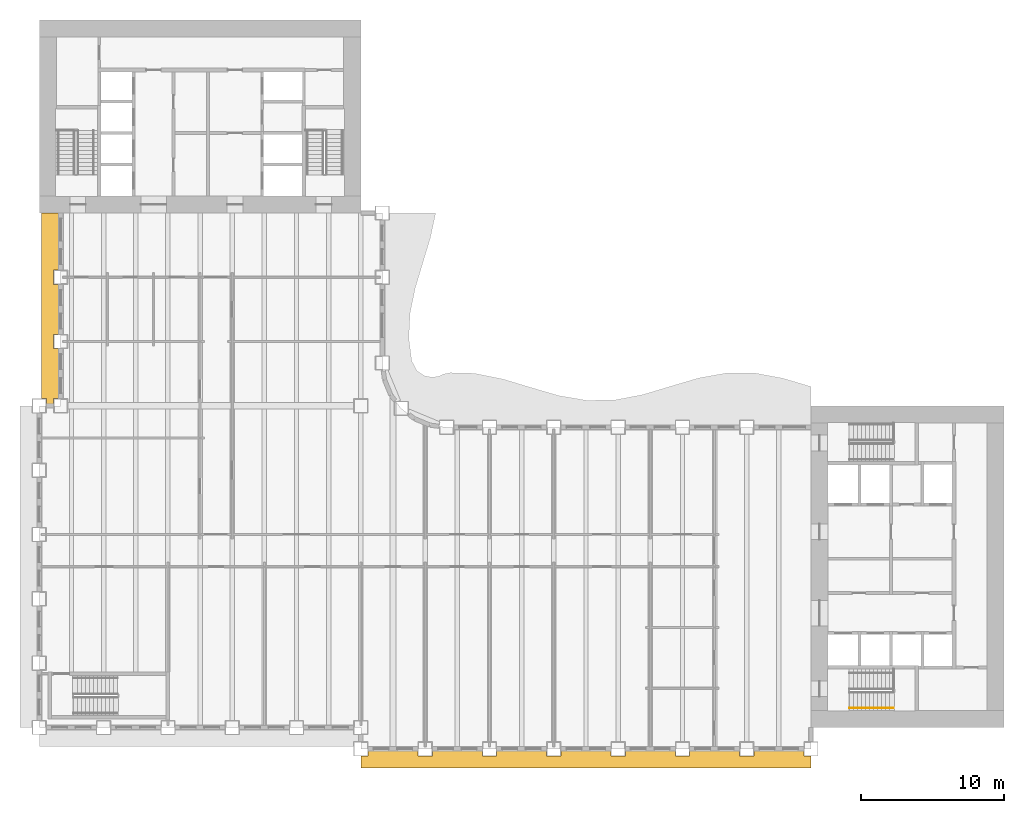
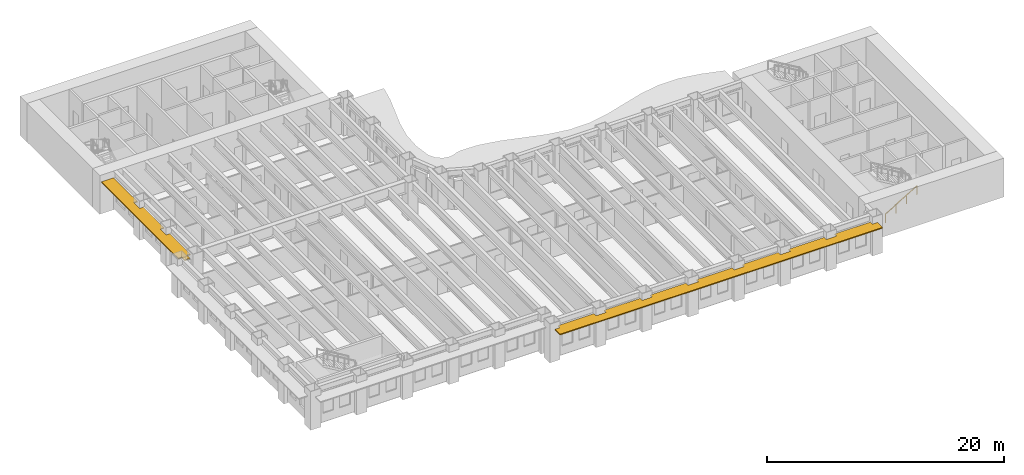
# One storey, part 12 of 16: 2 shading devices, 1 railing.
"""IFC4 building model written with IfcOpenShell, lengths in metres."""

from ifc_helpers import new_model, si_unit, direction, frame, origin, origin_2d, place, context, subcontext, project, spatial, polyline, rectangle, outline, extrude, material, layer, layer_set, type_object, element, save


model = new_model("IFC4")

# Units and contexts
model_context = context("Model", 3, precision=1e-05, world=origin(), true_north=direction((0.0, 1.0)))
body_context = subcontext(model_context, "Body", "Model", "MODEL_VIEW")
ifc_project = project(units=[si_unit("LENGTHUNIT", "METRE"), si_unit("AREAUNIT", "SQUARE_METRE"), si_unit("VOLUMEUNIT", "CUBIC_METRE"), si_unit("PLANEANGLEUNIT", "RADIAN"), si_unit("MASSUNIT", "GRAM", prefix="KILO")], contexts=[model_context])

# Site, building, storey
site_placement = place(None, origin())
site = spatial("IfcSite", under=ifc_project, at=site_placement, CompositionType="ELEMENT")
building_placement = place(site_placement, origin())
building = spatial("IfcBuilding", under=site, at=building_placement, Name="Sennacour Bend Tower", CompositionType="ELEMENT")
storey_placement = place(building_placement, frame((0.0, 0.0, 91.0)))
storey = spatial("IfcBuildingStorey", under=building, at=storey_placement, Name="L20", CompositionType="ELEMENT", Elevation=91.0)

# Railing
ifc_material_1 = material(Name="Stainless steel", Category="steel")
railing_type = type_object("IfcRailingType", Name="RL-HANDRAIL-900", PredefinedType="HANDRAIL", material=ifc_material_1)
railing_placement = place(storey_placement, frame((56.699951171875, 1.35009765625, 0.166748046875)))
element("IfcRailing", 1, at=railing_placement, inside=storey, type_object=railing_type, Name="L20 SA1 stair handrail 1", PredefinedType="HANDRAIL", context=body_context, shape_type="SweptSolid", body=[
    extrude(rectangle(XDim=0.048095703125, YDim=0.048095703125, at=origin_2d()), frame((0.0, 0.0, 0.8759765625), z_axis=(0.859308565015, 0.0, 0.511457515432), x_axis=(0.0, 1.0, 0.0)), (0.0, 0.0, 1.0), 3.58447265625),
    extrude(rectangle(XDim=0.0419921875, YDim=0.0419921875, at=origin_2d()), origin(), (0.0, 0.0, 1.0), 0.851806640625),
    extrude(rectangle(XDim=0.0419921875, YDim=0.0419921875, at=origin_2d()), frame((1.026611328125, 0.0, 0.611083984375)), (0.0, 0.0, 1.0), 0.851806640625),
    extrude(rectangle(XDim=0.0419921875, YDim=0.0419921875, at=origin_2d()), frame((2.053466796875, 0.0, 1.22216796875)), (0.0, 0.0, 1.0), 0.851806640625),
    extrude(rectangle(XDim=0.0419921875, YDim=0.0419921875, at=origin_2d()), frame((3.080078125, 0.0, 1.833251953125)), (0.0, 0.0, 1.0), 0.851806640625),
])

# Shading devices
ifc_material_2 = material(Name="Bronze anodised aluminium", Category="aluminium")
ifc_layer = layer(ifc_material_2, 0.10009765625, Name="Bronze anodised aluminium", Category="aluminium")
ifc_layer_set = layer_set([ifc_layer], Name="Bronze anodised aluminium")
shading_device_type = type_object("IfcShadingDeviceType", Name="SUNSHADE BAND STRAIGHT", PredefinedType="USERDEFINED", material=ifc_layer_set)
shading_device_1_placement = place(storey_placement, frame((0.0, 0.0, 3.053955078125)))
element("IfcShadingDevice", 2, at=shading_device_1_placement, inside=storey, type_object=shading_device_type, Name="Sunshade band L20 A outer face", ObjectType="SUNSHADE", PredefinedType="USERDEFINED", context=body_context, shape_type="SweptSolid", body=[
    extrude(outline(polyline([(26.5, -1.64990234375), (26.5, -2.0), (27.5, -2.0), (27.5, -1.64990234375), (31.0, -1.64990234375), (31.0, -2.0), (32.0, -2.0), (32.0, -1.64990234375), (35.5, -1.64990234375), (35.5, -2.0), (36.5, -2.0), (36.5, -1.64990234375), (40.0, -1.64990234375), (40.0, -2.0), (41.0, -2.0), (41.0, -1.64990234375), (44.5, -1.64990234375), (44.5, -2.0), (45.5, -2.0), (45.5, -1.64990234375), (49.0, -1.64990234375), (49.0, -2.0), (50.0, -2.0), (50.0, -1.64990234375), (53.5, -1.64990234375), (53.5, -2.0), (54.0, -2.0), (54.0, -2.85009765625), (22.5, -2.85009765625), (22.5, -2.0), (23.0, -2.0), (23.0, -1.64990234375), (26.5, -1.64990234375)])), origin(), (0.0, 0.0, 1.0), 0.10009765625),
])
shading_device_2_placement = place(storey_placement, frame((0.0, 0.0, 3.053955078125)))
element("IfcShadingDevice", 3, at=shading_device_2_placement, inside=storey, type_object=shading_device_type, Name="Sunshade band L20 B outer face", ObjectType="SUNSHADE", PredefinedType="USERDEFINED", context=body_context, shape_type="SweptSolid", body=[
    extrude(outline(polyline([(1.35009765625, 32.0), (1.0, 32.0), (1.0, 31.0), (1.35009765625, 31.0), (1.35009765625, 27.5), (1.0, 27.5), (1.0, 26.5), (1.35009765625, 26.5), (1.35009765625, 23.0), (1.0, 23.0), (1.0, 22.5), (0.5, 22.5), (0.5, 23.0), (0.14990234375, 23.0), (0.14990234375, 36.0), (1.35009765625, 36.0), (1.35009765625, 32.0)])), origin(), (0.0, 0.0, 1.0), 0.10009765625),
])

save(model, "model.ifc")
